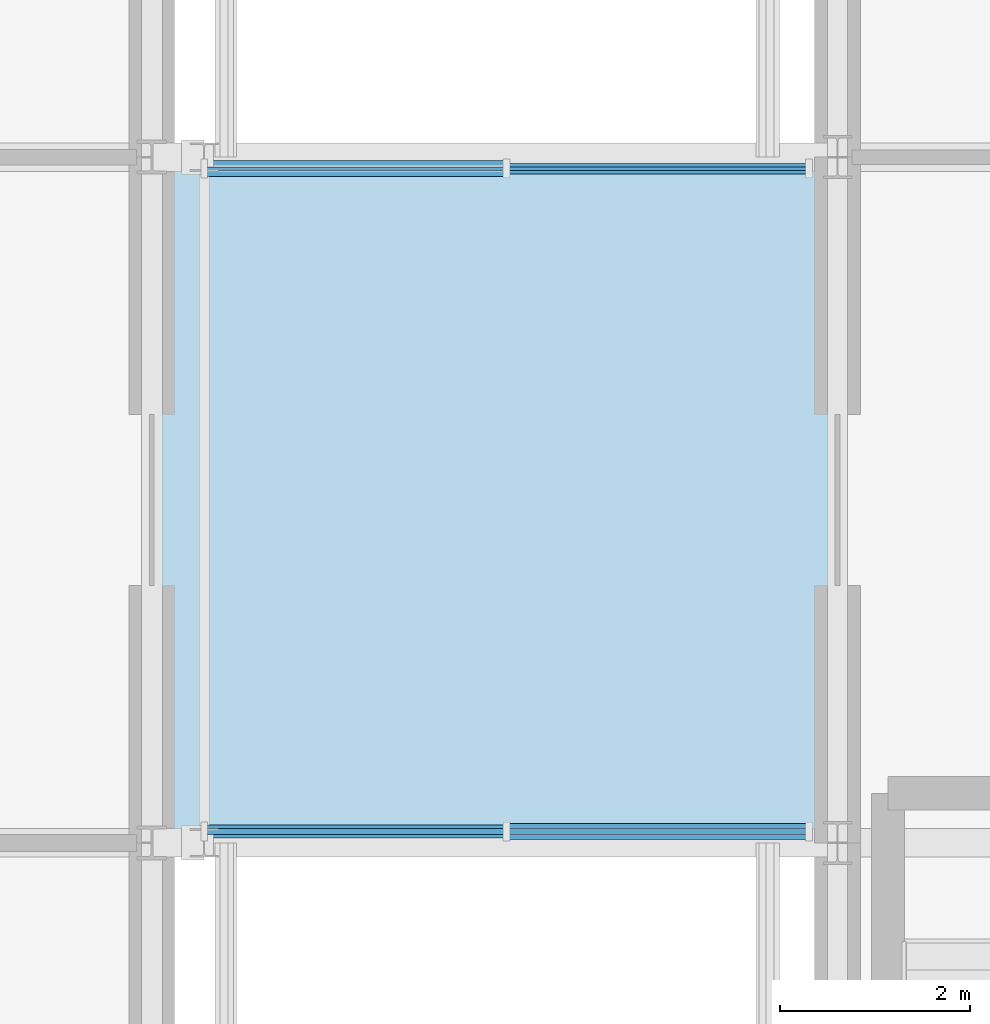
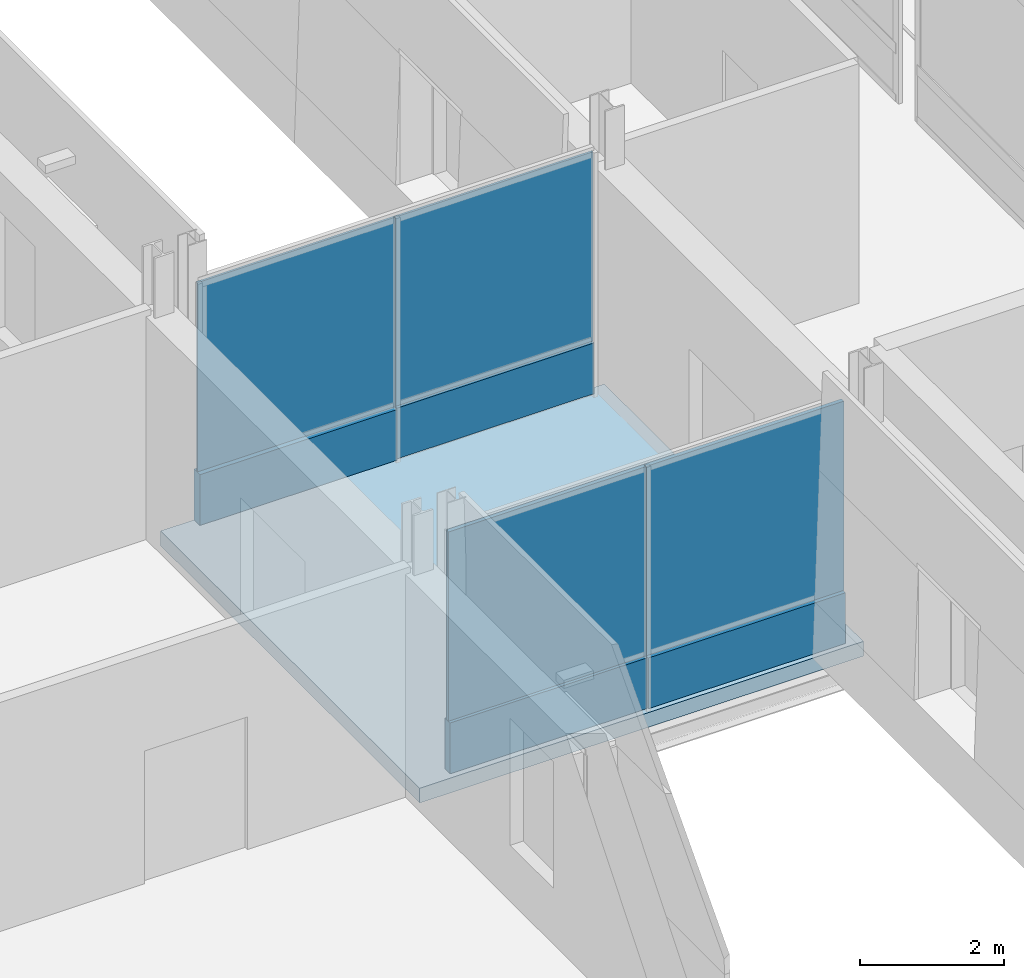
# One storey, part 58 of 121: 8 plates, 1 slab, 2 elements without a shape of their own.
"""IFC4 building model written with IfcOpenShell, lengths in metres."""

from ifc_helpers import new_model, si_unit, direction, frame, origin, origin_2d, place, context, subcontext, project, spatial, polyline, rectangle, outline, extrude, material, layer, layer_set, type_object, element, aggregate, save


model = new_model("IFC4")

# Units and contexts
model_context = context("Model", 3, precision=1e-05, world=origin(), true_north=direction((0.0, 1.0)))
body_context = subcontext(model_context, "Body", "Model", "MODEL_VIEW")
ifc_project = project(units=[si_unit("LENGTHUNIT", "METRE"), si_unit("AREAUNIT", "SQUARE_METRE"), si_unit("VOLUMEUNIT", "CUBIC_METRE"), si_unit("PLANEANGLEUNIT", "RADIAN"), si_unit("MASSUNIT", "GRAM", prefix="KILO")], contexts=[model_context])

# Site, building, storey
site_placement = place(None, origin())
site = spatial("IfcSite", under=ifc_project, at=site_placement, CompositionType="ELEMENT")
building_placement = place(site_placement, origin())
building = spatial("IfcBuilding", under=site, at=building_placement, Name="Narikvali Park Central Library", CompositionType="ELEMENT")
storey_placement = place(building_placement, frame((0.0, 0.0, 5.39990234375)))
storey = spatial("IfcBuildingStorey", under=building, at=storey_placement, Name="L01", CompositionType="ELEMENT", Elevation=5.39990234375)

# Slab
ifc_material_1 = material(Name="Concrete C40/50", Category="concrete")
ifc_layer_1 = layer(ifc_material_1, 0.25, Name="Concrete C40/50")
ifc_layer_set_1 = layer_set([ifc_layer_1], Name="Concrete C40/50")
slab_type = type_object("IfcSlabType", Name="Bridge Sliding Deck Slab 250", PredefinedType="FLOOR", material=ifc_layer_set_1)
slab_placement = place(storey_placement, frame((0.0, 0.0, -0.25)))
element("IfcSlab", 1, at=slab_placement, inside=storey, type_object=slab_type, Name="BRG-1 L01 Covered Bridge Deck", PredefinedType="FLOOR", context=body_context, shape_type="SweptSolid", body=[
    extrude(outline(polyline([(21.639892578125, 64.800048828125), (28.760009765625, 64.800048828125), (28.760009765625, 72.0), (21.639892578125, 72.0), (21.639892578125, 64.800048828125)])), origin(), (0.0, 0.0, 1.0), 0.25),
])

# Curtain wall, plate
ifc_material_2 = material(Name="Anodised Bronze Aluminium", Category="aluminium")
ifc_layer_2 = layer(ifc_material_2, 0.219970703125, Name="Anodised Bronze Aluminium")
ifc_layer_set_2 = layer_set([ifc_layer_2], Name="Anodised Bronze Aluminium")
curtain_wall_type = type_object("IfcCurtainWallType", Name="Bridge Covered Passage Glazing System", PredefinedType="NOTDEFINED", material=ifc_layer_set_2)
curtain_wall_1_placement = place(storey_placement, origin())
curtain_wall_1 = element("IfcCurtainWall", 2, at=curtain_wall_1_placement, inside=storey, type_object=curtain_wall_type, Name="Bridge Covered Passage Glazing System CW-BRG-1-L01-S1", PredefinedType="NOTDEFINED")
ifc_material_3 = material(Name="Anodised Bronze Acoustic Spandrel Cassette")
ifc_layer_3 = layer(ifc_material_3, 0.1650390625, Name="Anodised Bronze Acoustic Spandrel Cassette")
ifc_layer_set_3 = layer_set([ifc_layer_3], Name="Anodised Bronze Acoustic Spandrel Cassette")
plate_type_1 = type_object("IfcPlateType", Name="Curtain Wall Acoustic Plenum Louvre Cassette 165", PredefinedType="CURTAIN_PANEL", material=ifc_layer_set_3)
plate_1_placement = place(storey_placement, frame((26.91259765625, 64.919921875, 0.03515625), z_axis=(0.0, 0.0, 1.0), x_axis=(1.0, 0.0, 0.0)))
plate_1 = element("IfcPlate", 3, at=plate_1_placement, type_object=plate_type_1, Name="CW-BRG-1-L01-S1 Panel 01-0", PredefinedType="CURTAIN_PANEL", context=body_context, shape_type="SweptSolid", body=[
    extrude(rectangle(XDim=3.1650390625, YDim=0.1650390625, at=origin_2d()), origin(), (0.0, 0.0, 1.0), 0.860107421875),
])

curtain_wall_2_placement = place(storey_placement, origin())
curtain_wall_2 = element("IfcCurtainWall", 4, at=curtain_wall_2_placement, inside=storey, type_object=curtain_wall_type, Name="Bridge Covered Passage Glazing System CW-BRG-1-L01-N1", PredefinedType="NOTDEFINED")
plate_2_placement = place(storey_placement, frame((23.737548828125, 71.8798828125, 0.03515625), z_axis=(0.0, 0.0, 1.0), x_axis=(1.0, 0.0, 0.0)))
plate_2 = element("IfcPlate", 5, at=plate_2_placement, type_object=plate_type_1, Name="CW-BRG-1-L01-N1 Panel 00-0", PredefinedType="CURTAIN_PANEL", context=body_context, shape_type="SweptSolid", body=[
    extrude(rectangle(XDim=3.1650390625, YDim=0.1650390625, at=origin_2d()), origin(), (0.0, 0.0, 1.0), 0.860107421875),
])

# Plate
ifc_material_4 = material(Name="Heavy Acoustic Laminated Clerestory Glazing", Category="glass")
ifc_layer_4 = layer(ifc_material_4, 0.06396484375, Name="Heavy Acoustic Laminated Clerestory Glazing")
ifc_layer_set_4 = layer_set([ifc_layer_4], Name="Heavy Acoustic Laminated Clerestory Glazing")
plate_type_2 = type_object("IfcPlateType", Name="Curtain Wall Clerestory Laminated Acoustic Glass 64", PredefinedType="CURTAIN_PANEL", material=ifc_layer_set_4)
plate_3_placement = place(storey_placement, frame((23.737548828125, 64.919921875, 0.905029296875), z_axis=(0.0, 0.0, 1.0), x_axis=(1.0, 0.0, 0.0)))
plate_3 = element("IfcPlate", 6, at=plate_3_placement, type_object=plate_type_2, Name="CW-BRG-1-L01-S1 Panel 00-1", PredefinedType="CURTAIN_PANEL", context=body_context, shape_type="SweptSolid", body=[
    extrude(rectangle(XDim=3.1650390625, YDim=0.06396484375, at=origin_2d()), origin(), (0.0, 0.0, 1.0), 3.2099609375),
])

plate_4_placement = place(storey_placement, frame((26.91259765625, 64.919921875, 0.905029296875), z_axis=(0.0, 0.0, 1.0), x_axis=(1.0, 0.0, 0.0)))
plate_4 = element("IfcPlate", 7, at=plate_4_placement, type_object=plate_type_2, Name="CW-BRG-1-L01-S1 Panel 01-1", PredefinedType="CURTAIN_PANEL", context=body_context, shape_type="SweptSolid", body=[
    extrude(rectangle(XDim=3.1650390625, YDim=0.06396484375, at=origin_2d()), origin(), (0.0, 0.0, 1.0), 3.2099609375),
])

ifc_material_5 = material(Name="Double Low-E Tempered Vision Glazing", Category="glass")
ifc_layer_5 = layer(ifc_material_5, 0.035888671875, Name="Double Low-E Tempered Vision Glazing")
ifc_layer_set_5 = layer_set([ifc_layer_5], Name="Double Low-E Tempered Vision Glazing")
plate_type_3 = type_object("IfcPlateType", Name="Curtain Wall Double Low-E Vision Glazing 36", PredefinedType="CURTAIN_PANEL", material=ifc_layer_set_5)
plate_5_placement = place(storey_placement, frame((23.737548828125, 71.8798828125, 0.905029296875), z_axis=(0.0, 0.0, 1.0), x_axis=(1.0, 0.0, 0.0)))
plate_5 = element("IfcPlate", 8, at=plate_5_placement, type_object=plate_type_3, Name="CW-BRG-1-L01-N1 Panel 00-1", PredefinedType="CURTAIN_PANEL", context=body_context, shape_type="SweptSolid", body=[
    extrude(rectangle(XDim=3.1650390625, YDim=0.035888671875, at=origin_2d()), origin(), (0.0, 0.0, 1.0), 3.2099609375),
])

plate_6_placement = place(storey_placement, frame((26.91259765625, 71.8798828125, 0.905029296875), z_axis=(0.0, 0.0, 1.0), x_axis=(1.0, 0.0, 0.0)))
plate_6 = element("IfcPlate", 9, at=plate_6_placement, type_object=plate_type_3, Name="CW-BRG-1-L01-N1 Panel 01-1", PredefinedType="CURTAIN_PANEL", context=body_context, shape_type="SweptSolid", body=[
    extrude(rectangle(XDim=3.1650390625, YDim=0.035888671875, at=origin_2d()), origin(), (0.0, 0.0, 1.0), 3.2099609375),
])

ifc_material_6 = material(Name="Anodised Bronze Insulated Spandrel Cassette")
ifc_layer_6 = layer(ifc_material_6, 0.110107421875, Name="Anodised Bronze Insulated Spandrel Cassette")
ifc_layer_set_6 = layer_set([ifc_layer_6], Name="Anodised Bronze Insulated Spandrel Cassette")
plate_type_4 = type_object("IfcPlateType", Name="Curtain Wall Insulated Bronze Spandrel Cassette 110", PredefinedType="CURTAIN_PANEL", material=ifc_layer_set_6)
plate_7_placement = place(storey_placement, frame((26.91259765625, 71.8798828125, 0.03515625), z_axis=(0.0, 0.0, 1.0), x_axis=(1.0, 0.0, 0.0)))
plate_7 = element("IfcPlate", 10, at=plate_7_placement, type_object=plate_type_4, Name="CW-BRG-1-L01-N1 Panel 01-0", PredefinedType="CURTAIN_PANEL", context=body_context, shape_type="SweptSolid", body=[
    extrude(rectangle(XDim=3.1650390625, YDim=0.110107421875, at=origin_2d()), origin(), (0.0, 0.0, 1.0), 0.860107421875),
])

aggregate(curtain_wall_2, [plate_2, plate_5, plate_7, plate_6])

ifc_material_7 = material(Name="Mineral-Wool Shadow-Box Spandrel Assembly")
ifc_layer_7 = layer(ifc_material_7, 0.139892578125, Name="Mineral-Wool Shadow-Box Spandrel Assembly")
ifc_layer_set_7 = layer_set([ifc_layer_7], Name="Mineral-Wool Shadow-Box Spandrel Assembly")
plate_type_5 = type_object("IfcPlateType", Name="Curtain Wall Shadow-Box Mineral Spandrel Panel 140", PredefinedType="CURTAIN_PANEL", material=ifc_layer_set_7)
plate_8_placement = place(storey_placement, frame((23.737548828125, 64.919921875, 0.03515625), z_axis=(0.0, 0.0, 1.0), x_axis=(1.0, 0.0, 0.0)))
plate_8 = element("IfcPlate", 11, at=plate_8_placement, type_object=plate_type_5, Name="CW-BRG-1-L01-S1 Panel 00-0", PredefinedType="CURTAIN_PANEL", context=body_context, shape_type="SweptSolid", body=[
    extrude(rectangle(XDim=3.1650390625, YDim=0.139892578125, at=origin_2d()), origin(), (0.0, 0.0, 1.0), 0.860107421875),
])

aggregate(curtain_wall_1, [plate_8, plate_3, plate_1, plate_4])

save(model, "model.ifc")
